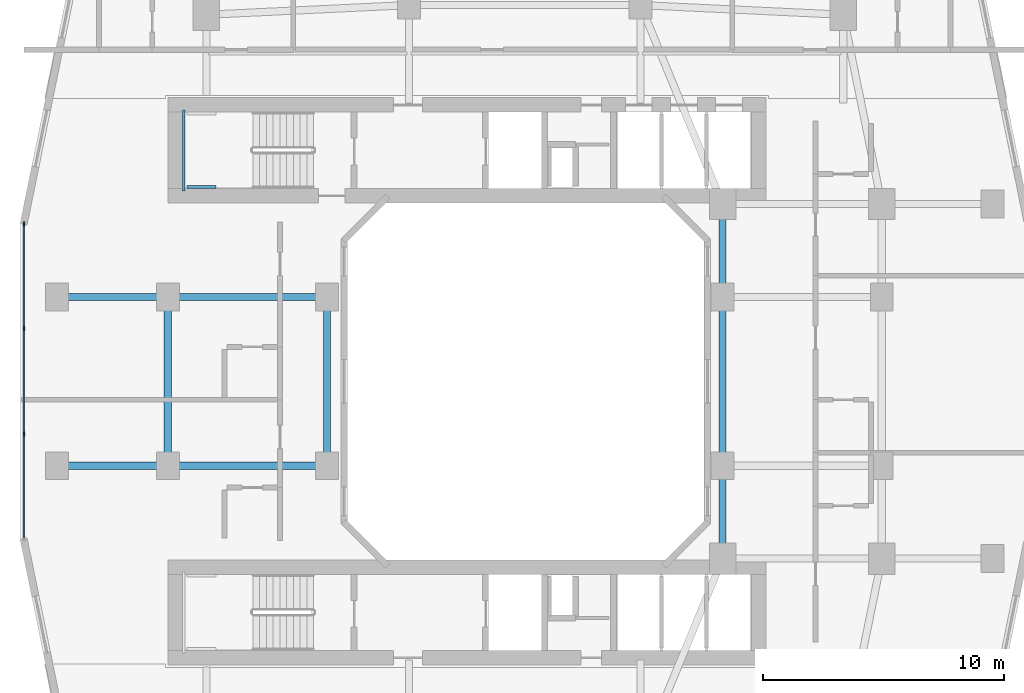
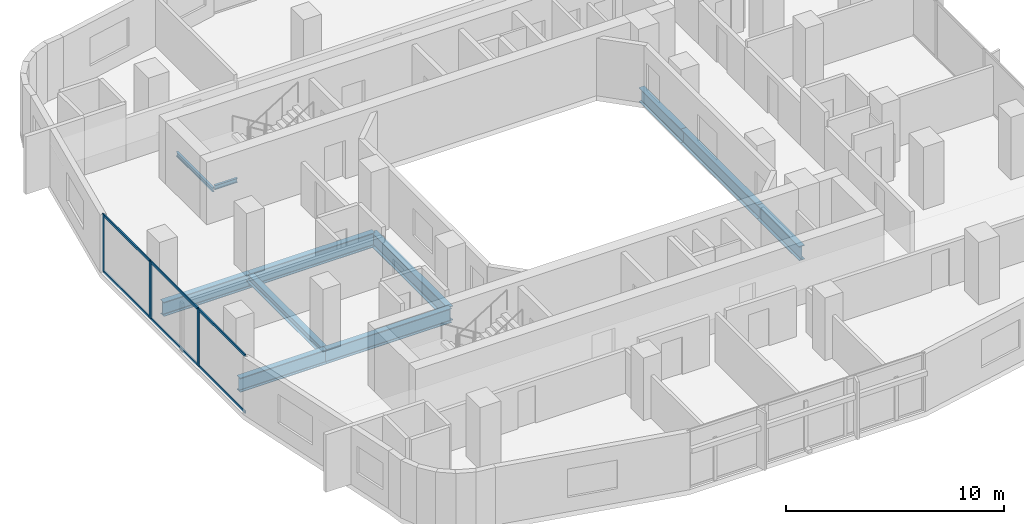
# One storey, part 3 of 26: 11 beams, 9 members, 1 element without a shape of its own.
"""IFC4 building model written with IfcOpenShell, lengths in metres."""

from ifc_helpers import new_model, si_unit, derived_unit, direction, frame, origin, origin_2d, place, context, subcontext, project, spatial, rectangle, i_section, extrude, material, layer, layer_set, material_profile, profile_set, type_object, element, aggregate, save


model = new_model("IFC4")

# Units and contexts
model_context = context("Model", 3, precision=1e-05, world=origin(), true_north=direction((0.0, 1.0)))
body_context = subcontext(model_context, "Body", "Model", "MODEL_VIEW")
ifc_project = project(units=[si_unit("LENGTHUNIT", "METRE"), si_unit("AREAUNIT", "SQUARE_METRE"), si_unit("VOLUMEUNIT", "CUBIC_METRE"), si_unit("PLANEANGLEUNIT", "RADIAN"), si_unit("MASSUNIT", "GRAM", prefix="KILO"), derived_unit("THERMALTRANSMITTANCEUNIT", [(si_unit("POWERUNIT", "WATT"), 1), (si_unit("LENGTHUNIT", "METRE"), -2), (si_unit("THERMODYNAMICTEMPERATUREUNIT", "KELVIN"), -1)])], contexts=[model_context])

# Site, building, storey
site_placement = place(None, origin())
site = spatial("IfcSite", under=ifc_project, at=site_placement, CompositionType="ELEMENT")
building_placement = place(site_placement, origin())
building = spatial("IfcBuilding", under=site, at=building_placement, Name="Kivonza Crest Hotel", CompositionType="ELEMENT")
storey_placement = place(building_placement, frame((0.0, 0.0, 52.0)))
storey = spatial("IfcBuildingStorey", under=building, at=storey_placement, Name="L13", CompositionType="ELEMENT", Elevation=52.0)

# Beams
ifc_material_1 = material(Name="Steel S355", Category="steel")
ifc_material_profile_1 = material_profile(ifc_material_1, i_section(OverallWidth=0.300048828125, OverallDepth=0.449951171875, WebThickness=0.013916015625, FlangeThickness=0.02587890625, FilletRadius=0.027099609375, at=origin_2d()), Name="HEB 450")
ifc_profile_set_1 = profile_set([ifc_material_profile_1], Name="Steel S355")
beam_type_1 = type_object("IfcBeamType", Name="BM-HEB450", PredefinedType="SPANDREL", material=ifc_profile_set_1)
beam_1_placement = place(storey_placement, frame((6.199951171875, 28.5, -0.5048828125), z_axis=(0.0, -1.0, 0.0), x_axis=(1.0, 0.0, 0.0)))
element("IfcBeam", 1, at=beam_1_placement, inside=storey, type_object=beam_type_1, Name="Tower T1 L13 perimeter spandrel W2-W1", PredefinedType="SPANDREL", context=body_context, shape_type="SweptSolid", body=[
    extrude(i_section(OverallWidth=0.300048828125, OverallDepth=0.449951171875, WebThickness=0.013916015625, FlangeThickness=0.02587890625, FilletRadius=0.027099609375, at=origin_2d()), origin(), (0.0, 0.0, 1.0), 7.0),
])
ifc_material_profile_2 = material_profile(ifc_material_1, i_section(OverallWidth=0.300048828125, OverallDepth=0.800048828125, WebThickness=0.017578125, FlangeThickness=0.032958984375, FilletRadius=0.030029296875, at=origin_2d()), Name="HEB 800")
ifc_profile_set_2 = profile_set([ifc_material_profile_2], Name="Steel S355")
beam_type_2 = type_object("IfcBeamType", Name="BM-HEB800", PredefinedType="BEAM", material=ifc_profile_set_2)
for number, where, z_axis, x_axis, name in (
    (2, (6.199951171875, 21.5, -0.679931640625), (1.0, 0.0, 0.0), (0.0, 1.0, 0.0), "Tower T1 L13 primary girder W1-WL1"),
    (3, (6.199951171875, 28.5, -0.679931640625), (1.0, 0.0, 0.0), (0.0, 1.0, 0.0), "Tower T1 L13 primary girder W2-WL2"),
):
    element("IfcBeam", number, at=place(storey_placement, frame(where, z_axis=z_axis, x_axis=x_axis)), inside=storey, type_object=beam_type_2, Name=name, PredefinedType="BEAM", context=body_context, shape_type="SweptSolid", body=[
        extrude(i_section(OverallWidth=0.300048828125, OverallDepth=0.800048828125, WebThickness=0.017578125, FlangeThickness=0.032958984375, FilletRadius=0.030029296875, at=origin_2d()), origin(), (0.0, 0.0, 1.0), 6.60009765625),
    ])
for number, where, z_axis, x_axis, name in (
    (4, (12.800048828125, 21.5, -0.679931640625), (0.0, 1.0, 0.0), (-1.0, 0.0, 0.0), "Tower T1 L13 primary girder WL1-WL2"),
    (5, (29.199951171875, 21.5, -0.679931640625), (0.0, 1.0, 0.0), (-1.0, 0.0, 0.0), "Tower T1 L13 primary girder WR1-WR2"),
):
    element("IfcBeam", number, at=place(storey_placement, frame(where, z_axis=z_axis, x_axis=x_axis)), inside=storey, type_object=beam_type_2, Name=name, PredefinedType="BEAM", context=body_context, shape_type="SweptSolid", body=[
        extrude(i_section(OverallWidth=0.300048828125, OverallDepth=0.800048828125, WebThickness=0.017578125, FlangeThickness=0.032958984375, FilletRadius=0.030029296875, at=origin_2d()), origin(), (0.0, 0.0, 1.0), 7.0),
    ])
for number, where, z_axis, x_axis, name in (
    (6, (29.199951171875, 17.64990234375, -0.679931640625), (0.0, 1.0, 0.0), (-1.0, 0.0, 0.0), "Tower T1 L13 primary girder TSE-WR1"),
    (7, (29.199951171875, 28.5, -0.679931640625), (0.0, 1.0, 0.0), (-1.0, 0.0, 0.0), "Tower T1 L13 primary girder WR2-TNE"),
):
    element("IfcBeam", number, at=place(storey_placement, frame(where, z_axis=z_axis, x_axis=x_axis)), inside=storey, type_object=beam_type_2, Name=name, PredefinedType="BEAM", context=body_context, shape_type="SweptSolid", body=[
        extrude(i_section(OverallWidth=0.300048828125, OverallDepth=0.800048828125, WebThickness=0.017578125, FlangeThickness=0.032958984375, FilletRadius=0.030029296875, at=origin_2d()), origin(), (0.0, 0.0, 1.0), 3.85009765625),
    ])
for number, where, z_axis, x_axis, name in (
    (8, (1.60009765625, 21.5, -0.679931640625), (1.0, 0.0, 0.0), (0.0, 1.0, 0.0), "Tower T1 L13 outer bay girder ZW1"),
    (9, (1.60009765625, 28.5, -0.679931640625), (1.0, 0.0, 0.0), (0.0, 1.0, 0.0), "Tower T1 L13 outer bay girder ZW2"),
):
    element("IfcBeam", number, at=place(storey_placement, frame(where, z_axis=z_axis, x_axis=x_axis)), inside=storey, type_object=beam_type_2, Name=name, PredefinedType="BEAM", context=body_context, shape_type="SweptSolid", body=[
        extrude(i_section(OverallWidth=0.300048828125, OverallDepth=0.800048828125, WebThickness=0.017578125, FlangeThickness=0.032958984375, FilletRadius=0.030029296875, at=origin_2d()), origin(), (0.0, 0.0, 1.0), 4.599853515625),
    ])
ifc_material_profile_3 = material_profile(ifc_material_1, i_section(OverallWidth=0.1201171875, OverallDepth=0.239990234375, WebThickness=0.006103515625, FlangeThickness=0.009765625, FilletRadius=0.014892578125, at=origin_2d()), Name="IPE 240")
ifc_profile_set_3 = profile_set([ifc_material_profile_3], Name="Steel S355")
beam_type_3 = type_object("IfcBeamType", Name="BM-LLDG-240", PredefinedType="BEAM", material=ifc_profile_set_3)
beam_2_placement = place(storey_placement, frame((6.860107421875, 32.89990234375, 1.429931640625), z_axis=(0.0, 1.0, 0.0), x_axis=(-1.0, 0.0, 0.0)))
element("IfcBeam", 10, at=beam_2_placement, inside=storey, type_object=beam_type_3, Name="Stair ST-T1-N L13 West landing corbel", PredefinedType="BEAM", context=body_context, shape_type="SweptSolid", body=[
    extrude(i_section(OverallWidth=0.1201171875, OverallDepth=0.239990234375, WebThickness=0.006103515625, FlangeThickness=0.009765625, FilletRadius=0.014892578125, at=origin_2d()), origin(), (0.0, 0.0, 1.0), 3.360107421875),
])
beam_3_placement = place(storey_placement, frame((6.989990234375, 33.06005859375, 1.429931640625), z_axis=(1.0, 0.0, 0.0), x_axis=(0.0, 1.0, 0.0)))
element("IfcBeam", 11, at=beam_3_placement, inside=storey, type_object=beam_type_3, Name="Stair ST-T1-N L13 South landing corbel", PredefinedType="BEAM", context=body_context, shape_type="SweptSolid", body=[
    extrude(i_section(OverallWidth=0.1201171875, OverallDepth=0.239990234375, WebThickness=0.006103515625, FlangeThickness=0.009765625, FilletRadius=0.014892578125, at=origin_2d()), origin(), (0.0, 0.0, 1.0), 1.2099609375),
])

# Curtain wall, members
ifc_material_2 = material(Name="Anodised bronze aluminium and low-E double glazing", Category="aluminium")
ifc_layer = layer(ifc_material_2, 0.179931640625)
ifc_layer_set = layer_set([ifc_layer], Name="Anodised bronze aluminium and low-E double glazing")
curtain_wall_type = type_object("IfcCurtainWallType", Name="CW-SYS-2", PredefinedType="NOTDEFINED", material=ifc_layer_set)
curtain_wall_placement = place(storey_placement, origin())
curtain_wall = element("IfcCurtainWall", 12, at=curtain_wall_placement, inside=storey, type_object=curtain_wall_type, Name="L13 unitised curtain wall CW-T1-L13-35", PredefinedType="NOTDEFINED")
ifc_material_3 = material(Name="Anodised bronze aluminium", Category="aluminium")
ifc_material_profile_4 = material_profile(ifc_material_3, rectangle(XDim=0.06494140625, YDim=0.179931640625, at=origin_2d()), Name="CW-M 65x180")
ifc_profile_set_4 = profile_set([ifc_material_profile_4], Name="Anodised bronze aluminium")
member_type_1 = type_object("IfcMemberType", Name="CW-MUL-65x180", PredefinedType="MULLION", material=ifc_profile_set_4)
member_1_placement = place(storey_placement, frame((0.239990234375, 31.527587890625, 0.0), z_axis=(0.0, 0.0, 1.0), x_axis=(1.0, 0.0, 0.0)))
member_1 = element("IfcMember", 13, at=member_1_placement, type_object=member_type_1, Name="CW-2 mullion 1", PredefinedType="MULLION", context=body_context, shape_type="SweptSolid", body=[
    extrude(rectangle(XDim=0.06494140625, YDim=0.179931640625, at=origin_2d()), origin(), (0.0, 0.0, 1.0), 3.219970703125),
])
member_2_placement = place(storey_placement, frame((0.239990234375, 27.186767578125, 0.0), z_axis=(0.0, 0.0, 1.0), x_axis=(1.0, 0.0, 0.0)))
member_2 = element("IfcMember", 14, at=member_2_placement, type_object=member_type_1, Name="CW-2 mullion 2", PredefinedType="MULLION", context=body_context, shape_type="SweptSolid", body=[
    extrude(rectangle(XDim=0.06494140625, YDim=0.179931640625, at=origin_2d()), origin(), (0.0, 0.0, 1.0), 3.219970703125),
])
member_3_placement = place(storey_placement, frame((0.239990234375, 22.813232421875, 0.0), z_axis=(0.0, 0.0, 1.0), x_axis=(1.0, 0.0, 0.0)))
member_3 = element("IfcMember", 15, at=member_3_placement, type_object=member_type_1, Name="CW-2 mullion 3", PredefinedType="MULLION", context=body_context, shape_type="SweptSolid", body=[
    extrude(rectangle(XDim=0.06494140625, YDim=0.179931640625, at=origin_2d()), origin(), (0.0, 0.0, 1.0), 3.219970703125),
])
ifc_material_profile_5 = material_profile(ifc_material_3, rectangle(XDim=0.06494140625, YDim=0.139892578125, at=origin_2d()), Name="CW-T 65x140")
ifc_profile_set_5 = profile_set([ifc_material_profile_5], Name="Anodised bronze aluminium")
member_type_2 = type_object("IfcMemberType", Name="CW-TRN-65x140", PredefinedType="USERDEFINED", material=ifc_profile_set_5)
member_4_placement = place(storey_placement, frame((0.239990234375, 31.4951171875, 0.032470703125), z_axis=(0.0, -1.0, 0.0), x_axis=(1.0, 0.0, 0.0)))
member_4 = element("IfcMember", 16, at=member_4_placement, type_object=member_type_2, Name="CW-2 transom 1.1", ObjectType="TRANSOM", PredefinedType="USERDEFINED", context=body_context, shape_type="SweptSolid", body=[
    extrude(rectangle(XDim=0.06494140625, YDim=0.139892578125, at=origin_2d()), origin(), (0.0, 0.0, 1.0), 4.27587890625),
])
member_5_placement = place(storey_placement, frame((0.239990234375, 31.4951171875, 3.1875), z_axis=(0.0, -1.0, 0.0), x_axis=(1.0, 0.0, 0.0)))
member_5 = element("IfcMember", 17, at=member_5_placement, type_object=member_type_2, Name="CW-2 transom 1.2", ObjectType="TRANSOM", PredefinedType="USERDEFINED", context=body_context, shape_type="SweptSolid", body=[
    extrude(rectangle(XDim=0.06494140625, YDim=0.139892578125, at=origin_2d()), origin(), (0.0, 0.0, 1.0), 4.27587890625),
])
member_6_placement = place(storey_placement, frame((0.239990234375, 27.154052734375, 0.032470703125), z_axis=(0.0, -1.0, 0.0), x_axis=(1.0, 0.0, 0.0)))
member_6 = element("IfcMember", 18, at=member_6_placement, type_object=member_type_2, Name="CW-2 transom 2.1", ObjectType="TRANSOM", PredefinedType="USERDEFINED", context=body_context, shape_type="SweptSolid", body=[
    extrude(rectangle(XDim=0.06494140625, YDim=0.139892578125, at=origin_2d()), origin(), (0.0, 0.0, 1.0), 4.30810546875),
])
member_7_placement = place(storey_placement, frame((0.239990234375, 27.154052734375, 3.1875), z_axis=(0.0, -1.0, 0.0), x_axis=(1.0, 0.0, 0.0)))
member_7 = element("IfcMember", 19, at=member_7_placement, type_object=member_type_2, Name="CW-2 transom 2.2", ObjectType="TRANSOM", PredefinedType="USERDEFINED", context=body_context, shape_type="SweptSolid", body=[
    extrude(rectangle(XDim=0.06494140625, YDim=0.139892578125, at=origin_2d()), origin(), (0.0, 0.0, 1.0), 4.30810546875),
])
member_8_placement = place(storey_placement, frame((0.239990234375, 22.78076171875, 0.032470703125), z_axis=(0.0, -1.0, 0.0), x_axis=(1.0, 0.0, 0.0)))
member_8 = element("IfcMember", 20, at=member_8_placement, type_object=member_type_2, Name="CW-2 transom 3.1", ObjectType="TRANSOM", PredefinedType="USERDEFINED", context=body_context, shape_type="SweptSolid", body=[
    extrude(rectangle(XDim=0.06494140625, YDim=0.139892578125, at=origin_2d()), origin(), (0.0, 0.0, 1.0), 4.27587890625),
])
member_9_placement = place(storey_placement, frame((0.239990234375, 22.78076171875, 3.1875), z_axis=(0.0, -1.0, 0.0), x_axis=(1.0, 0.0, 0.0)))
member_9 = element("IfcMember", 21, at=member_9_placement, type_object=member_type_2, Name="CW-2 transom 3.2", ObjectType="TRANSOM", PredefinedType="USERDEFINED", context=body_context, shape_type="SweptSolid", body=[
    extrude(rectangle(XDim=0.06494140625, YDim=0.139892578125, at=origin_2d()), origin(), (0.0, 0.0, 1.0), 4.27587890625),
])
aggregate(curtain_wall, [member_1, member_2, member_3, member_4, member_5, member_6, member_7, member_8, member_9])

save(model, "model.ifc")
